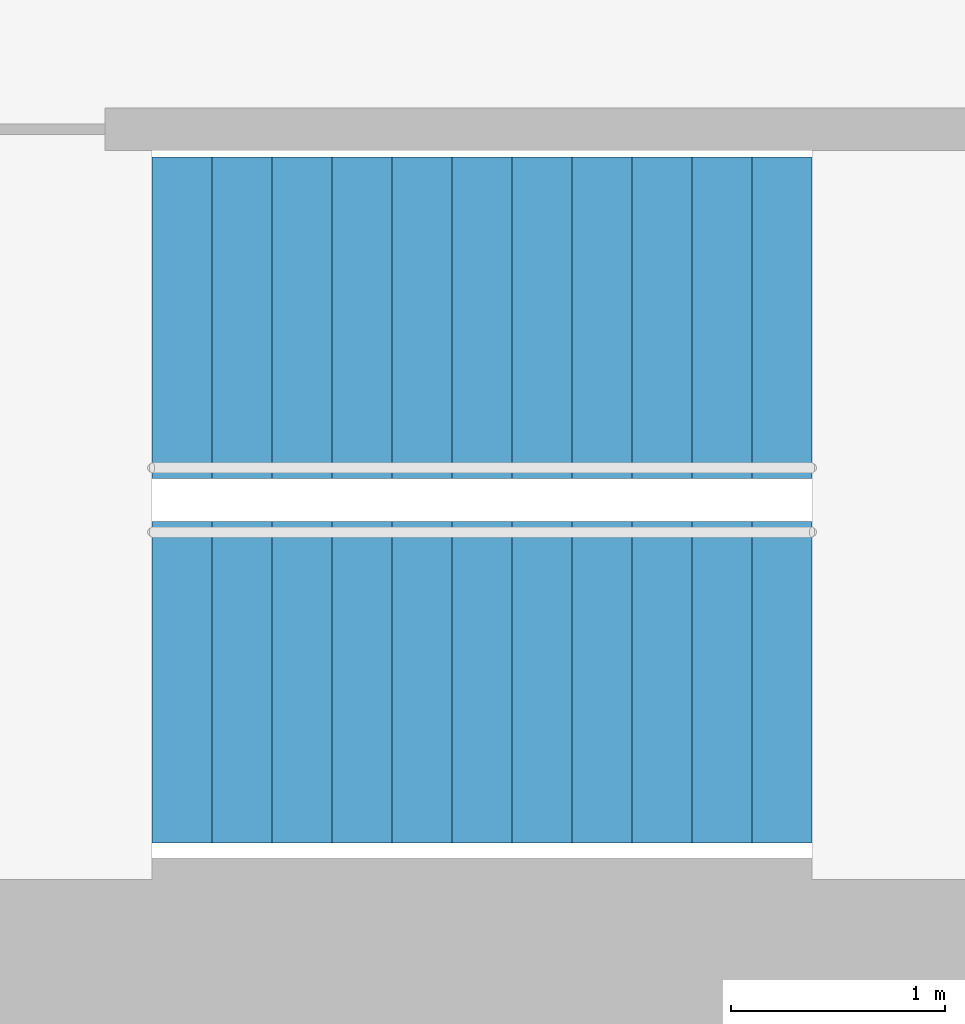
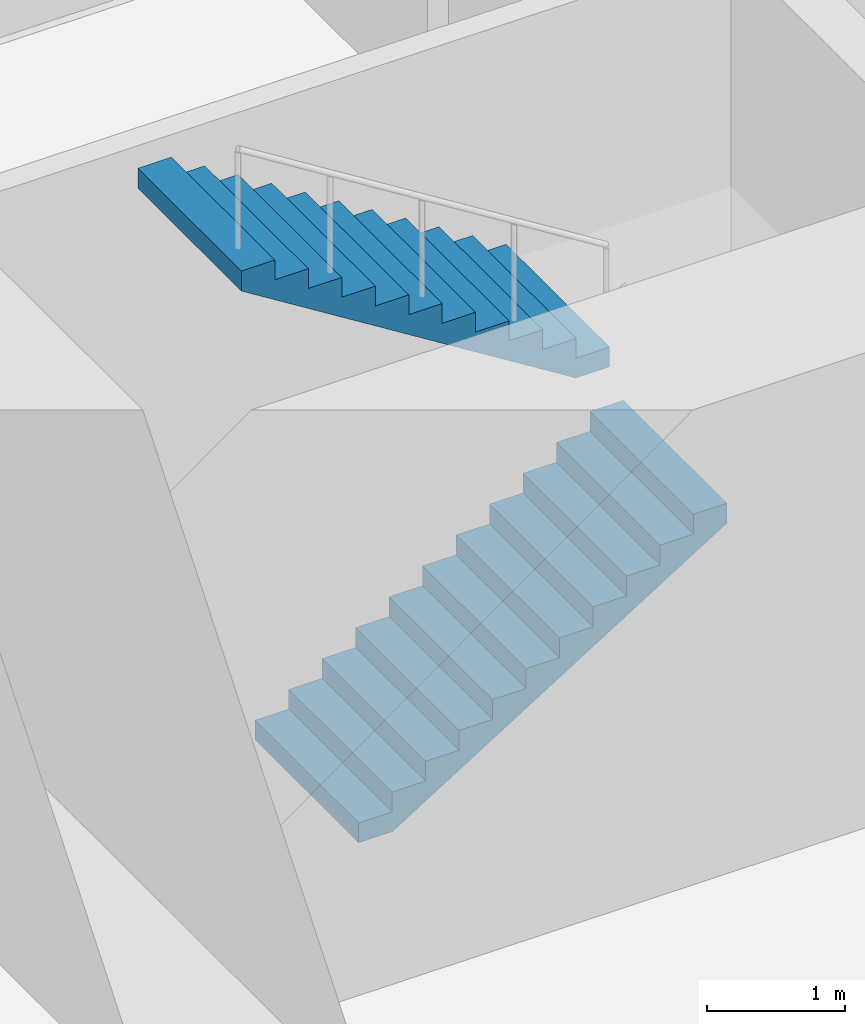
# One storey, part 16 of 18: 2 stair flights, 1 element without a shape of its own.
"""IFC4 building model written with IfcOpenShell, lengths in metres."""

from ifc_helpers import new_model, si_unit, direction, frame, origin, place, context, subcontext, project, spatial, triangles, material, type_object, element, aggregate, save


model = new_model("IFC4")

# Units and contexts
model_context = context("Model", 3, precision=1e-05, world=origin(), true_north=direction((0.0, 1.0)))
body_context = subcontext(model_context, "Body", "Model", "MODEL_VIEW")
ifc_project = project(units=[si_unit("LENGTHUNIT", "METRE"), si_unit("AREAUNIT", "SQUARE_METRE"), si_unit("VOLUMEUNIT", "CUBIC_METRE"), si_unit("PLANEANGLEUNIT", "RADIAN"), si_unit("MASSUNIT", "GRAM", prefix="KILO")], contexts=[model_context])

# Site, building, storey
site_placement = place(None, origin())
site = spatial("IfcSite", under=ifc_project, at=site_placement, CompositionType="ELEMENT")
building_placement = place(site_placement, origin())
building = spatial("IfcBuilding", under=site, at=building_placement, Name="Lantaw Convention Tower", CompositionType="ELEMENT")
storey_placement = place(building_placement, frame((0.0, 0.0, 184.60009765625)))
storey = spatial("IfcBuildingStorey", under=building, at=storey_placement, Name="L43", CompositionType="ELEMENT", Elevation=184.60009765625)

# Stair, stair flights
ifc_material = material(Name="Concrete C35/45", Category="concrete")
stair_type = type_object("IfcStairType", Name="Exit stair 1500 riser 175 in 2 flights", PredefinedType="HALF_TURN_STAIR", material=ifc_material)
stair_placement = place(storey_placement, origin())
stair = element("IfcStair", 1, at=stair_placement, inside=storey, type_object=stair_type, Name="Exit stair S1 L43", PredefinedType="HALF_TURN_STAIR")
stair_flight_type = type_object("IfcStairFlightType", Name="Stair flight 1500 riser 175", PredefinedType="STRAIGHT", material=ifc_material)
stair_flight_1_placement = place(storey_placement, frame((-10.580078125, -5.97998046875, 0.0), z_axis=(0.0, 0.0, 1.0), x_axis=(1.0, 0.0, 0.0)))
stair_flight_1 = element("IfcStairFlight", 2, at=stair_flight_1_placement, type_object=stair_flight_type, Name="S1 flight 1", NumberOfRisers=12, NumberOfTreads=11, PredefinedType="STRAIGHT", RiserHeight=0.175, TreadLength=0.28, context=body_context, shape_type="Tessellation", body=[
    triangles([(0.0, 0.75, 0.0), (0.0, 0.75, 0.175), (0.28, 0.75, 0.0), (0.28, 0.75, 0.175), (0.28, 0.75, 0.35), (0.28283517651771284, 0.75, 0.0), (0.28283517651771284, 0.75, 0.35), (0.56, 0.75, 0.17322801467642948), (0.56, 0.75, 0.35), (0.56, 0.75, 0.5249999999999999), (0.8400000000000001, 0.75, 0.34822801467642944), (0.8400000000000001, 0.75, 0.5249999999999999), (0.8400000000000001, 0.75, 0.7), (1.12, 0.75, 0.5232280146764294), (1.12, 0.75, 0.7), (1.12, 0.75, 0.875), (1.4000000000000001, 0.75, 0.6982280146764295), (1.4000000000000001, 0.75, 0.875), (1.4000000000000001, 0.75, 1.0499999999999998), (1.6800000000000002, 0.75, 0.8732280146764294), (1.6800000000000002, 0.75, 1.0499999999999998), (1.6800000000000002, 0.75, 1.2249999999999999), (1.9600000000000002, 0.75, 1.0482280146764293), (1.9600000000000002, 0.75, 1.2249999999999999), (1.9600000000000002, 0.75, 1.4), (2.24, 0.75, 1.2232280146764294), (2.24, 0.75, 1.4), (2.24, 0.75, 1.575), (2.5200000000000005, 0.75, 1.3982280146764294), (2.5200000000000005, 0.75, 1.575), (2.5200000000000005, 0.75, 1.75), (2.8000000000000003, 0.75, 1.5732280146764293), (2.8000000000000003, 0.75, 1.75), (2.8000000000000003, 0.75, 1.9249999999999998), (3.08, 0.75, 1.7482280146764293), (3.08, 0.75, 1.9249999999999998), (0.0, -0.75, 0.0), (0.0, -0.75, 0.175), (0.28, -0.75, 0.0), (0.28, -0.75, 0.175), (0.28, -0.75, 0.35), (0.28283517651771284, -0.75, 0.0), (0.28283517651771284, -0.75, 0.35), (0.56, -0.75, 0.17322801467642948), (0.56, -0.75, 0.35), (0.56, -0.75, 0.5249999999999999), (0.8400000000000001, -0.75, 0.34822801467642944), (0.8400000000000001, -0.75, 0.5249999999999999), (0.8400000000000001, -0.75, 0.7), (1.12, -0.75, 0.5232280146764294), (1.12, -0.75, 0.7), (1.12, -0.75, 0.875), (1.4000000000000001, -0.75, 0.6982280146764295), (1.4000000000000001, -0.75, 0.875), (1.4000000000000001, -0.75, 1.0499999999999998), (1.6800000000000002, -0.75, 0.8732280146764294), (1.6800000000000002, -0.75, 1.0499999999999998), (1.6800000000000002, -0.75, 1.2249999999999999), (1.9600000000000002, -0.75, 1.0482280146764293), (1.9600000000000002, -0.75, 1.2249999999999999), (1.9600000000000002, -0.75, 1.4), (2.24, -0.75, 1.2232280146764294), (2.24, -0.75, 1.4), (2.24, -0.75, 1.575), (2.5200000000000005, -0.75, 1.3982280146764294), (2.5200000000000005, -0.75, 1.575), (2.5200000000000005, -0.75, 1.75), (2.8000000000000003, -0.75, 1.5732280146764293), (2.8000000000000003, -0.75, 1.75), (2.8000000000000003, -0.75, 1.9249999999999998), (3.08, -0.75, 1.7482280146764293), (3.08, -0.75, 1.9249999999999998), (0.0, 0.15000000000000002, 0.175), (0.0, 0.15000000000000002, 0.0), (0.0, 0.0, 0.175), (0.0, 0.0, 0.0), (0.0, -0.15000000000000002, 0.175), (0.0, -0.15000000000000002, 0.0), (0.28, 0.15000000000000002, 0.35), (0.28, 0.15000000000000002, 0.175), (0.28, 0.0, 0.35), (0.28, 0.0, 0.175), (0.28, -0.15000000000000002, 0.35), (0.28, -0.15000000000000002, 0.175), (0.56, 0.15000000000000002, 0.5249999999999999), (0.56, 0.15000000000000002, 0.35), (0.56, 0.0, 0.5249999999999999), (0.56, 0.0, 0.35), (0.56, -0.15000000000000002, 0.5249999999999999), (0.56, -0.15000000000000002, 0.35), (0.8400000000000001, 0.15000000000000002, 0.7), (0.8400000000000001, 0.15000000000000002, 0.5249999999999999), (0.8400000000000001, 0.0, 0.7), (0.8400000000000001, 0.0, 0.5249999999999999), (0.8400000000000001, -0.15000000000000002, 0.7), (0.8400000000000001, -0.15000000000000002, 0.5249999999999999), (1.12, 0.15000000000000002, 0.875), (1.12, 0.15000000000000002, 0.7), (1.12, 0.0, 0.875), (1.12, 0.0, 0.7), (1.12, -0.15000000000000002, 0.875), (1.12, -0.15000000000000002, 0.7), (1.4000000000000001, 0.15000000000000002, 1.0499999999999998), (1.4000000000000001, 0.15000000000000002, 0.875), (1.4000000000000001, 0.0, 1.0499999999999998), (1.4000000000000001, 0.0, 0.875), (1.4000000000000001, -0.15000000000000002, 1.0499999999999998), (1.4000000000000001, -0.15000000000000002, 0.875), (1.6800000000000002, 0.15000000000000002, 1.2249999999999999), (1.6800000000000002, 0.15000000000000002, 1.0499999999999998), (1.6800000000000002, 0.0, 1.2249999999999999), (1.6800000000000002, 0.0, 1.0499999999999998), (1.6800000000000002, -0.15000000000000002, 1.2249999999999999), (1.6800000000000002, -0.15000000000000002, 1.0499999999999998), (1.9600000000000002, 0.15000000000000002, 1.4), (1.9600000000000002, 0.15000000000000002, 1.2249999999999999), (1.9600000000000002, 0.0, 1.4), (1.9600000000000002, 0.0, 1.2249999999999999), (1.9600000000000002, -0.15000000000000002, 1.4), (1.9600000000000002, -0.15000000000000002, 1.2249999999999999), (2.24, 0.15000000000000002, 1.575), (2.24, 0.15000000000000002, 1.4), (2.24, 0.0, 1.575), (2.24, 0.0, 1.4), (2.24, -0.15000000000000002, 1.575), (2.24, -0.15000000000000002, 1.4), (2.5200000000000005, 0.15000000000000002, 1.75), (2.5200000000000005, 0.15000000000000002, 1.575), (2.5200000000000005, 0.0, 1.75), (2.5200000000000005, 0.0, 1.575), (2.5200000000000005, -0.15000000000000002, 1.75), (2.5200000000000005, -0.15000000000000002, 1.575), (2.8000000000000003, 0.15000000000000002, 1.9249999999999998), (2.8000000000000003, 0.15000000000000002, 1.75), (2.8000000000000003, 0.0, 1.9249999999999998), (2.8000000000000003, 0.0, 1.75), (2.8000000000000003, -0.15000000000000002, 1.9249999999999998), (2.8000000000000003, -0.15000000000000002, 1.75), (0.28283517651771284, 0.15000000000000002, 0.35), (0.28283517651771284, 0.0, 0.35), (0.28283517651771284, -0.15000000000000002, 0.35), (3.08, 0.15000000000000002, 1.9249999999999998), (3.08, 0.0, 1.9249999999999998), (3.08, -0.15000000000000002, 1.9249999999999998), (3.08, 0.15000000000000002, 1.7482280146764293), (3.08, 0.0, 1.7482280146764293), (3.08, -0.15000000000000002, 1.7482280146764293), (2.8000000000000003, 0.15000000000000002, 1.5732280146764293), (2.8000000000000003, 0.0, 1.5732280146764293), (2.8000000000000003, -0.15000000000000002, 1.5732280146764293), (2.5200000000000005, 0.15000000000000002, 1.3982280146764294), (2.5200000000000005, 0.0, 1.3982280146764294), (2.5200000000000005, -0.15000000000000002, 1.3982280146764294), (2.24, 0.15000000000000002, 1.2232280146764294), (2.24, 0.0, 1.2232280146764294), (2.24, -0.15000000000000002, 1.2232280146764294), (1.9600000000000002, 0.15000000000000002, 1.0482280146764293), (1.9600000000000002, 0.0, 1.0482280146764293), (1.9600000000000002, -0.15000000000000002, 1.0482280146764293), (1.6800000000000002, 0.15000000000000002, 0.8732280146764294), (1.6800000000000002, 0.0, 0.8732280146764294), (1.6800000000000002, -0.15000000000000002, 0.8732280146764294), (1.4000000000000001, 0.15000000000000002, 0.6982280146764295), (1.4000000000000001, 0.0, 0.6982280146764295), (1.4000000000000001, -0.15000000000000002, 0.6982280146764295), (1.12, 0.15000000000000002, 0.5232280146764294), (1.12, 0.0, 0.5232280146764294), (1.12, -0.15000000000000002, 0.5232280146764294), (0.8400000000000001, 0.15000000000000002, 0.34822801467642944), (0.8400000000000001, 0.0, 0.34822801467642944), (0.8400000000000001, -0.15000000000000002, 0.34822801467642944), (0.56, 0.15000000000000002, 0.17322801467642948), (0.56, 0.0, 0.17322801467642948), (0.56, -0.15000000000000002, 0.17322801467642948), (0.28283517651771284, 0.15000000000000002, 0.0), (0.28283517651771284, 0.0, 0.0), (0.28283517651771284, -0.15000000000000002, 0.0), (0.28, 0.15000000000000002, 0.0), (0.28, 0.0, 0.0), (0.28, -0.15000000000000002, 0.0)], [[1, 4, 3], [1, 2, 4], [3, 4, 6], [4, 7, 6], [4, 5, 7], [6, 9, 8], [6, 7, 9], [8, 9, 11], [9, 12, 11], [9, 10, 12], [11, 12, 14], [12, 15, 14], [12, 13, 15], [14, 15, 17], [15, 18, 17], [15, 16, 18], [17, 18, 20], [18, 21, 20], [18, 19, 21], [20, 21, 23], [21, 24, 23], [21, 22, 24], [23, 24, 26], [24, 27, 26], [24, 25, 27], [26, 27, 29], [27, 30, 29], [27, 28, 30], [29, 30, 32], [30, 33, 32], [30, 31, 33], [32, 33, 35], [33, 36, 35], [33, 34, 36], [37, 39, 40], [37, 40, 38], [39, 42, 40], [40, 42, 43], [40, 43, 41], [42, 44, 45], [42, 45, 43], [44, 47, 45], [45, 47, 48], [45, 48, 46], [47, 50, 48], [48, 50, 51], [48, 51, 49], [50, 53, 51], [51, 53, 54], [51, 54, 52], [53, 56, 54], [54, 56, 57], [54, 57, 55], [56, 59, 57], [57, 59, 60], [57, 60, 58], [59, 62, 60], [60, 62, 63], [60, 63, 61], [62, 65, 63], [63, 65, 66], [63, 66, 64], [65, 68, 66], [66, 68, 69], [66, 69, 67], [68, 71, 69], [69, 71, 72], [69, 72, 70], [1, 73, 2], [1, 74, 73], [74, 75, 73], [74, 76, 75], [76, 77, 75], [76, 78, 77], [78, 38, 77], [78, 37, 38], [4, 79, 5], [4, 80, 79], [80, 81, 79], [80, 82, 81], [82, 83, 81], [82, 84, 83], [84, 41, 83], [84, 40, 41], [9, 85, 10], [9, 86, 85], [86, 87, 85], [86, 88, 87], [88, 89, 87], [88, 90, 89], [90, 46, 89], [90, 45, 46], [12, 91, 13], [12, 92, 91], [92, 93, 91], [92, 94, 93], [94, 95, 93], [94, 96, 95], [96, 49, 95], [96, 48, 49], [15, 97, 16], [15, 98, 97], [98, 99, 97], [98, 100, 99], [100, 101, 99], [100, 102, 101], [102, 52, 101], [102, 51, 52], [18, 103, 19], [18, 104, 103], [104, 105, 103], [104, 106, 105], [106, 107, 105], [106, 108, 107], [108, 55, 107], [108, 54, 55], [21, 109, 22], [21, 110, 109], [110, 111, 109], [110, 112, 111], [112, 113, 111], [112, 114, 113], [114, 58, 113], [114, 57, 58], [24, 115, 25], [24, 116, 115], [116, 117, 115], [116, 118, 117], [118, 119, 117], [118, 120, 119], [120, 61, 119], [120, 60, 61], [27, 121, 28], [27, 122, 121], [122, 123, 121], [122, 124, 123], [124, 125, 123], [124, 126, 125], [126, 64, 125], [126, 63, 64], [30, 127, 31], [30, 128, 127], [128, 129, 127], [128, 130, 129], [130, 131, 129], [130, 132, 131], [132, 67, 131], [132, 66, 67], [33, 133, 34], [33, 134, 133], [134, 135, 133], [134, 136, 135], [136, 137, 135], [136, 138, 137], [138, 70, 137], [138, 69, 70], [2, 80, 4], [2, 73, 80], [73, 82, 80], [73, 75, 82], [75, 84, 82], [75, 77, 84], [77, 40, 84], [77, 38, 40], [5, 139, 7], [5, 79, 139], [79, 140, 139], [79, 81, 140], [81, 141, 140], [81, 83, 141], [83, 43, 141], [83, 41, 43], [7, 86, 9], [7, 139, 86], [139, 88, 86], [139, 140, 88], [140, 90, 88], [140, 141, 90], [141, 45, 90], [141, 43, 45], [10, 92, 12], [10, 85, 92], [85, 94, 92], [85, 87, 94], [87, 96, 94], [87, 89, 96], [89, 48, 96], [89, 46, 48], [13, 98, 15], [13, 91, 98], [91, 100, 98], [91, 93, 100], [93, 102, 100], [93, 95, 102], [95, 51, 102], [95, 49, 51], [16, 104, 18], [16, 97, 104], [97, 106, 104], [97, 99, 106], [99, 108, 106], [99, 101, 108], [101, 54, 108], [101, 52, 54], [19, 110, 21], [19, 103, 110], [103, 112, 110], [103, 105, 112], [105, 114, 112], [105, 107, 114], [107, 57, 114], [107, 55, 57], [22, 116, 24], [22, 109, 116], [109, 118, 116], [109, 111, 118], [111, 120, 118], [111, 113, 120], [113, 60, 120], [113, 58, 60], [25, 122, 27], [25, 115, 122], [115, 124, 122], [115, 117, 124], [117, 126, 124], [117, 119, 126], [119, 63, 126], [119, 61, 63], [28, 128, 30], [28, 121, 128], [121, 130, 128], [121, 123, 130], [123, 132, 130], [123, 125, 132], [125, 66, 132], [125, 64, 66], [31, 134, 33], [31, 127, 134], [127, 136, 134], [127, 129, 136], [129, 138, 136], [129, 131, 138], [131, 69, 138], [131, 67, 69], [34, 142, 36], [34, 133, 142], [133, 143, 142], [133, 135, 143], [135, 144, 143], [135, 137, 144], [137, 72, 144], [137, 70, 72], [36, 145, 35], [36, 142, 145], [142, 146, 145], [142, 143, 146], [143, 147, 146], [143, 144, 147], [144, 71, 147], [144, 72, 71], [35, 148, 32], [35, 145, 148], [145, 149, 148], [145, 146, 149], [146, 150, 149], [146, 147, 150], [147, 68, 150], [147, 71, 68], [32, 151, 29], [32, 148, 151], [148, 152, 151], [148, 149, 152], [149, 153, 152], [149, 150, 153], [150, 65, 153], [150, 68, 65], [29, 154, 26], [29, 151, 154], [151, 155, 154], [151, 152, 155], [152, 156, 155], [152, 153, 156], [153, 62, 156], [153, 65, 62], [26, 157, 23], [26, 154, 157], [154, 158, 157], [154, 155, 158], [155, 159, 158], [155, 156, 159], [156, 59, 159], [156, 62, 59], [23, 160, 20], [23, 157, 160], [157, 161, 160], [157, 158, 161], [158, 162, 161], [158, 159, 162], [159, 56, 162], [159, 59, 56], [20, 163, 17], [20, 160, 163], [160, 164, 163], [160, 161, 164], [161, 165, 164], [161, 162, 165], [162, 53, 165], [162, 56, 53], [17, 166, 14], [17, 163, 166], [163, 167, 166], [163, 164, 167], [164, 168, 167], [164, 165, 168], [165, 50, 168], [165, 53, 50], [14, 169, 11], [14, 166, 169], [166, 170, 169], [166, 167, 170], [167, 171, 170], [167, 168, 171], [168, 47, 171], [168, 50, 47], [11, 172, 8], [11, 169, 172], [169, 173, 172], [169, 170, 173], [170, 174, 173], [170, 171, 174], [171, 44, 174], [171, 47, 44], [8, 175, 6], [8, 172, 175], [172, 176, 175], [172, 173, 176], [173, 177, 176], [173, 174, 177], [174, 42, 177], [174, 44, 42], [6, 178, 3], [6, 175, 178], [175, 179, 178], [175, 176, 179], [176, 180, 179], [176, 177, 180], [177, 39, 180], [177, 42, 39], [3, 74, 1], [3, 178, 74], [178, 76, 74], [178, 179, 76], [179, 78, 76], [179, 180, 78], [180, 37, 78], [180, 39, 37]], closed=True),
])
stair_flight_2_placement = place(storey_placement, frame((-7.5, -4.280029296875, 2.099853515625), z_axis=(0.0, 0.0, 1.0), x_axis=(-1.0, 0.0, 0.0)))
stair_flight_2 = element("IfcStairFlight", 3, at=stair_flight_2_placement, type_object=stair_flight_type, Name="S1 flight 2", NumberOfRisers=12, NumberOfTreads=11, PredefinedType="STRAIGHT", RiserHeight=0.175, TreadLength=0.28, context=body_context, shape_type="Tessellation", body=[
    triangles([(0.0, 0.75, 0.0), (0.0, 0.75, 0.175), (0.28, 0.75, 0.0), (0.28, 0.75, 0.175), (0.28, 0.75, 0.35), (0.28283517651771284, 0.75, 0.0), (0.28283517651771284, 0.75, 0.35), (0.56, 0.75, 0.17322801467642948), (0.56, 0.75, 0.35), (0.56, 0.75, 0.5249999999999999), (0.8400000000000001, 0.75, 0.34822801467642944), (0.8400000000000001, 0.75, 0.5249999999999999), (0.8400000000000001, 0.75, 0.7), (1.12, 0.75, 0.5232280146764294), (1.12, 0.75, 0.7), (1.12, 0.75, 0.875), (1.4000000000000001, 0.75, 0.6982280146764295), (1.4000000000000001, 0.75, 0.875), (1.4000000000000001, 0.75, 1.0499999999999998), (1.6800000000000002, 0.75, 0.8732280146764294), (1.6800000000000002, 0.75, 1.0499999999999998), (1.6800000000000002, 0.75, 1.2249999999999999), (1.9600000000000002, 0.75, 1.0482280146764293), (1.9600000000000002, 0.75, 1.2249999999999999), (1.9600000000000002, 0.75, 1.4), (2.24, 0.75, 1.2232280146764294), (2.24, 0.75, 1.4), (2.24, 0.75, 1.575), (2.5200000000000005, 0.75, 1.3982280146764294), (2.5200000000000005, 0.75, 1.575), (2.5200000000000005, 0.75, 1.75), (2.8000000000000003, 0.75, 1.5732280146764293), (2.8000000000000003, 0.75, 1.75), (2.8000000000000003, 0.75, 1.9249999999999998), (3.08, 0.75, 1.7482280146764293), (3.08, 0.75, 1.9249999999999998), (0.0, -0.75, 0.0), (0.0, -0.75, 0.175), (0.28, -0.75, 0.0), (0.28, -0.75, 0.175), (0.28, -0.75, 0.35), (0.28283517651771284, -0.75, 0.0), (0.28283517651771284, -0.75, 0.35), (0.56, -0.75, 0.17322801467642948), (0.56, -0.75, 0.35), (0.56, -0.75, 0.5249999999999999), (0.8400000000000001, -0.75, 0.34822801467642944), (0.8400000000000001, -0.75, 0.5249999999999999), (0.8400000000000001, -0.75, 0.7), (1.12, -0.75, 0.5232280146764294), (1.12, -0.75, 0.7), (1.12, -0.75, 0.875), (1.4000000000000001, -0.75, 0.6982280146764295), (1.4000000000000001, -0.75, 0.875), (1.4000000000000001, -0.75, 1.0499999999999998), (1.6800000000000002, -0.75, 0.8732280146764294), (1.6800000000000002, -0.75, 1.0499999999999998), (1.6800000000000002, -0.75, 1.2249999999999999), (1.9600000000000002, -0.75, 1.0482280146764293), (1.9600000000000002, -0.75, 1.2249999999999999), (1.9600000000000002, -0.75, 1.4), (2.24, -0.75, 1.2232280146764294), (2.24, -0.75, 1.4), (2.24, -0.75, 1.575), (2.5200000000000005, -0.75, 1.3982280146764294), (2.5200000000000005, -0.75, 1.575), (2.5200000000000005, -0.75, 1.75), (2.8000000000000003, -0.75, 1.5732280146764293), (2.8000000000000003, -0.75, 1.75), (2.8000000000000003, -0.75, 1.9249999999999998), (3.08, -0.75, 1.7482280146764293), (3.08, -0.75, 1.9249999999999998), (0.0, 0.15000000000000002, 0.175), (0.0, 0.15000000000000002, 0.0), (0.0, 0.0, 0.175), (0.0, 0.0, 0.0), (0.0, -0.15000000000000002, 0.175), (0.0, -0.15000000000000002, 0.0), (0.28, 0.15000000000000002, 0.35), (0.28, 0.15000000000000002, 0.175), (0.28, 0.0, 0.35), (0.28, 0.0, 0.175), (0.28, -0.15000000000000002, 0.35), (0.28, -0.15000000000000002, 0.175), (0.56, 0.15000000000000002, 0.5249999999999999), (0.56, 0.15000000000000002, 0.35), (0.56, 0.0, 0.5249999999999999), (0.56, 0.0, 0.35), (0.56, -0.15000000000000002, 0.5249999999999999), (0.56, -0.15000000000000002, 0.35), (0.8400000000000001, 0.15000000000000002, 0.7), (0.8400000000000001, 0.15000000000000002, 0.5249999999999999), (0.8400000000000001, 0.0, 0.7), (0.8400000000000001, 0.0, 0.5249999999999999), (0.8400000000000001, -0.15000000000000002, 0.7), (0.8400000000000001, -0.15000000000000002, 0.5249999999999999), (1.12, 0.15000000000000002, 0.875), (1.12, 0.15000000000000002, 0.7), (1.12, 0.0, 0.875), (1.12, 0.0, 0.7), (1.12, -0.15000000000000002, 0.875), (1.12, -0.15000000000000002, 0.7), (1.4000000000000001, 0.15000000000000002, 1.0499999999999998), (1.4000000000000001, 0.15000000000000002, 0.875), (1.4000000000000001, 0.0, 1.0499999999999998), (1.4000000000000001, 0.0, 0.875), (1.4000000000000001, -0.15000000000000002, 1.0499999999999998), (1.4000000000000001, -0.15000000000000002, 0.875), (1.6800000000000002, 0.15000000000000002, 1.2249999999999999), (1.6800000000000002, 0.15000000000000002, 1.0499999999999998), (1.6800000000000002, 0.0, 1.2249999999999999), (1.6800000000000002, 0.0, 1.0499999999999998), (1.6800000000000002, -0.15000000000000002, 1.2249999999999999), (1.6800000000000002, -0.15000000000000002, 1.0499999999999998), (1.9600000000000002, 0.15000000000000002, 1.4), (1.9600000000000002, 0.15000000000000002, 1.2249999999999999), (1.9600000000000002, 0.0, 1.4), (1.9600000000000002, 0.0, 1.2249999999999999), (1.9600000000000002, -0.15000000000000002, 1.4), (1.9600000000000002, -0.15000000000000002, 1.2249999999999999), (2.24, 0.15000000000000002, 1.575), (2.24, 0.15000000000000002, 1.4), (2.24, 0.0, 1.575), (2.24, 0.0, 1.4), (2.24, -0.15000000000000002, 1.575), (2.24, -0.15000000000000002, 1.4), (2.5200000000000005, 0.15000000000000002, 1.75), (2.5200000000000005, 0.15000000000000002, 1.575), (2.5200000000000005, 0.0, 1.75), (2.5200000000000005, 0.0, 1.575), (2.5200000000000005, -0.15000000000000002, 1.75), (2.5200000000000005, -0.15000000000000002, 1.575), (2.8000000000000003, 0.15000000000000002, 1.9249999999999998), (2.8000000000000003, 0.15000000000000002, 1.75), (2.8000000000000003, 0.0, 1.9249999999999998), (2.8000000000000003, 0.0, 1.75), (2.8000000000000003, -0.15000000000000002, 1.9249999999999998), (2.8000000000000003, -0.15000000000000002, 1.75), (0.28283517651771284, 0.15000000000000002, 0.35), (0.28283517651771284, 0.0, 0.35), (0.28283517651771284, -0.15000000000000002, 0.35), (3.08, 0.15000000000000002, 1.9249999999999998), (3.08, 0.0, 1.9249999999999998), (3.08, -0.15000000000000002, 1.9249999999999998), (3.08, 0.15000000000000002, 1.7482280146764293), (3.08, 0.0, 1.7482280146764293), (3.08, -0.15000000000000002, 1.7482280146764293), (2.8000000000000003, 0.15000000000000002, 1.5732280146764293), (2.8000000000000003, 0.0, 1.5732280146764293), (2.8000000000000003, -0.15000000000000002, 1.5732280146764293), (2.5200000000000005, 0.15000000000000002, 1.3982280146764294), (2.5200000000000005, 0.0, 1.3982280146764294), (2.5200000000000005, -0.15000000000000002, 1.3982280146764294), (2.24, 0.15000000000000002, 1.2232280146764294), (2.24, 0.0, 1.2232280146764294), (2.24, -0.15000000000000002, 1.2232280146764294), (1.9600000000000002, 0.15000000000000002, 1.0482280146764293), (1.9600000000000002, 0.0, 1.0482280146764293), (1.9600000000000002, -0.15000000000000002, 1.0482280146764293), (1.6800000000000002, 0.15000000000000002, 0.8732280146764294), (1.6800000000000002, 0.0, 0.8732280146764294), (1.6800000000000002, -0.15000000000000002, 0.8732280146764294), (1.4000000000000001, 0.15000000000000002, 0.6982280146764295), (1.4000000000000001, 0.0, 0.6982280146764295), (1.4000000000000001, -0.15000000000000002, 0.6982280146764295), (1.12, 0.15000000000000002, 0.5232280146764294), (1.12, 0.0, 0.5232280146764294), (1.12, -0.15000000000000002, 0.5232280146764294), (0.8400000000000001, 0.15000000000000002, 0.34822801467642944), (0.8400000000000001, 0.0, 0.34822801467642944), (0.8400000000000001, -0.15000000000000002, 0.34822801467642944), (0.56, 0.15000000000000002, 0.17322801467642948), (0.56, 0.0, 0.17322801467642948), (0.56, -0.15000000000000002, 0.17322801467642948), (0.28283517651771284, 0.15000000000000002, 0.0), (0.28283517651771284, 0.0, 0.0), (0.28283517651771284, -0.15000000000000002, 0.0), (0.28, 0.15000000000000002, 0.0), (0.28, 0.0, 0.0), (0.28, -0.15000000000000002, 0.0)], [[1, 4, 3], [1, 2, 4], [3, 4, 6], [4, 7, 6], [4, 5, 7], [6, 9, 8], [6, 7, 9], [8, 9, 11], [9, 12, 11], [9, 10, 12], [11, 12, 14], [12, 15, 14], [12, 13, 15], [14, 15, 17], [15, 18, 17], [15, 16, 18], [17, 18, 20], [18, 21, 20], [18, 19, 21], [20, 21, 23], [21, 24, 23], [21, 22, 24], [23, 24, 26], [24, 27, 26], [24, 25, 27], [26, 27, 29], [27, 30, 29], [27, 28, 30], [29, 30, 32], [30, 33, 32], [30, 31, 33], [32, 33, 35], [33, 36, 35], [33, 34, 36], [37, 39, 40], [37, 40, 38], [39, 42, 40], [40, 42, 43], [40, 43, 41], [42, 44, 45], [42, 45, 43], [44, 47, 45], [45, 47, 48], [45, 48, 46], [47, 50, 48], [48, 50, 51], [48, 51, 49], [50, 53, 51], [51, 53, 54], [51, 54, 52], [53, 56, 54], [54, 56, 57], [54, 57, 55], [56, 59, 57], [57, 59, 60], [57, 60, 58], [59, 62, 60], [60, 62, 63], [60, 63, 61], [62, 65, 63], [63, 65, 66], [63, 66, 64], [65, 68, 66], [66, 68, 69], [66, 69, 67], [68, 71, 69], [69, 71, 72], [69, 72, 70], [1, 73, 2], [1, 74, 73], [74, 75, 73], [74, 76, 75], [76, 77, 75], [76, 78, 77], [78, 38, 77], [78, 37, 38], [4, 79, 5], [4, 80, 79], [80, 81, 79], [80, 82, 81], [82, 83, 81], [82, 84, 83], [84, 41, 83], [84, 40, 41], [9, 85, 10], [9, 86, 85], [86, 87, 85], [86, 88, 87], [88, 89, 87], [88, 90, 89], [90, 46, 89], [90, 45, 46], [12, 91, 13], [12, 92, 91], [92, 93, 91], [92, 94, 93], [94, 95, 93], [94, 96, 95], [96, 49, 95], [96, 48, 49], [15, 97, 16], [15, 98, 97], [98, 99, 97], [98, 100, 99], [100, 101, 99], [100, 102, 101], [102, 52, 101], [102, 51, 52], [18, 103, 19], [18, 104, 103], [104, 105, 103], [104, 106, 105], [106, 107, 105], [106, 108, 107], [108, 55, 107], [108, 54, 55], [21, 109, 22], [21, 110, 109], [110, 111, 109], [110, 112, 111], [112, 113, 111], [112, 114, 113], [114, 58, 113], [114, 57, 58], [24, 115, 25], [24, 116, 115], [116, 117, 115], [116, 118, 117], [118, 119, 117], [118, 120, 119], [120, 61, 119], [120, 60, 61], [27, 121, 28], [27, 122, 121], [122, 123, 121], [122, 124, 123], [124, 125, 123], [124, 126, 125], [126, 64, 125], [126, 63, 64], [30, 127, 31], [30, 128, 127], [128, 129, 127], [128, 130, 129], [130, 131, 129], [130, 132, 131], [132, 67, 131], [132, 66, 67], [33, 133, 34], [33, 134, 133], [134, 135, 133], [134, 136, 135], [136, 137, 135], [136, 138, 137], [138, 70, 137], [138, 69, 70], [2, 80, 4], [2, 73, 80], [73, 82, 80], [73, 75, 82], [75, 84, 82], [75, 77, 84], [77, 40, 84], [77, 38, 40], [5, 139, 7], [5, 79, 139], [79, 140, 139], [79, 81, 140], [81, 141, 140], [81, 83, 141], [83, 43, 141], [83, 41, 43], [7, 86, 9], [7, 139, 86], [139, 88, 86], [139, 140, 88], [140, 90, 88], [140, 141, 90], [141, 45, 90], [141, 43, 45], [10, 92, 12], [10, 85, 92], [85, 94, 92], [85, 87, 94], [87, 96, 94], [87, 89, 96], [89, 48, 96], [89, 46, 48], [13, 98, 15], [13, 91, 98], [91, 100, 98], [91, 93, 100], [93, 102, 100], [93, 95, 102], [95, 51, 102], [95, 49, 51], [16, 104, 18], [16, 97, 104], [97, 106, 104], [97, 99, 106], [99, 108, 106], [99, 101, 108], [101, 54, 108], [101, 52, 54], [19, 110, 21], [19, 103, 110], [103, 112, 110], [103, 105, 112], [105, 114, 112], [105, 107, 114], [107, 57, 114], [107, 55, 57], [22, 116, 24], [22, 109, 116], [109, 118, 116], [109, 111, 118], [111, 120, 118], [111, 113, 120], [113, 60, 120], [113, 58, 60], [25, 122, 27], [25, 115, 122], [115, 124, 122], [115, 117, 124], [117, 126, 124], [117, 119, 126], [119, 63, 126], [119, 61, 63], [28, 128, 30], [28, 121, 128], [121, 130, 128], [121, 123, 130], [123, 132, 130], [123, 125, 132], [125, 66, 132], [125, 64, 66], [31, 134, 33], [31, 127, 134], [127, 136, 134], [127, 129, 136], [129, 138, 136], [129, 131, 138], [131, 69, 138], [131, 67, 69], [34, 142, 36], [34, 133, 142], [133, 143, 142], [133, 135, 143], [135, 144, 143], [135, 137, 144], [137, 72, 144], [137, 70, 72], [36, 145, 35], [36, 142, 145], [142, 146, 145], [142, 143, 146], [143, 147, 146], [143, 144, 147], [144, 71, 147], [144, 72, 71], [35, 148, 32], [35, 145, 148], [145, 149, 148], [145, 146, 149], [146, 150, 149], [146, 147, 150], [147, 68, 150], [147, 71, 68], [32, 151, 29], [32, 148, 151], [148, 152, 151], [148, 149, 152], [149, 153, 152], [149, 150, 153], [150, 65, 153], [150, 68, 65], [29, 154, 26], [29, 151, 154], [151, 155, 154], [151, 152, 155], [152, 156, 155], [152, 153, 156], [153, 62, 156], [153, 65, 62], [26, 157, 23], [26, 154, 157], [154, 158, 157], [154, 155, 158], [155, 159, 158], [155, 156, 159], [156, 59, 159], [156, 62, 59], [23, 160, 20], [23, 157, 160], [157, 161, 160], [157, 158, 161], [158, 162, 161], [158, 159, 162], [159, 56, 162], [159, 59, 56], [20, 163, 17], [20, 160, 163], [160, 164, 163], [160, 161, 164], [161, 165, 164], [161, 162, 165], [162, 53, 165], [162, 56, 53], [17, 166, 14], [17, 163, 166], [163, 167, 166], [163, 164, 167], [164, 168, 167], [164, 165, 168], [165, 50, 168], [165, 53, 50], [14, 169, 11], [14, 166, 169], [166, 170, 169], [166, 167, 170], [167, 171, 170], [167, 168, 171], [168, 47, 171], [168, 50, 47], [11, 172, 8], [11, 169, 172], [169, 173, 172], [169, 170, 173], [170, 174, 173], [170, 171, 174], [171, 44, 174], [171, 47, 44], [8, 175, 6], [8, 172, 175], [172, 176, 175], [172, 173, 176], [173, 177, 176], [173, 174, 177], [174, 42, 177], [174, 44, 42], [6, 178, 3], [6, 175, 178], [175, 179, 178], [175, 176, 179], [176, 180, 179], [176, 177, 180], [177, 39, 180], [177, 42, 39], [3, 74, 1], [3, 178, 74], [178, 76, 74], [178, 179, 76], [179, 78, 76], [179, 180, 78], [180, 37, 78], [180, 39, 37]], closed=True),
])
aggregate(stair, [stair_flight_1, stair_flight_2])

save(model, "model.ifc")
